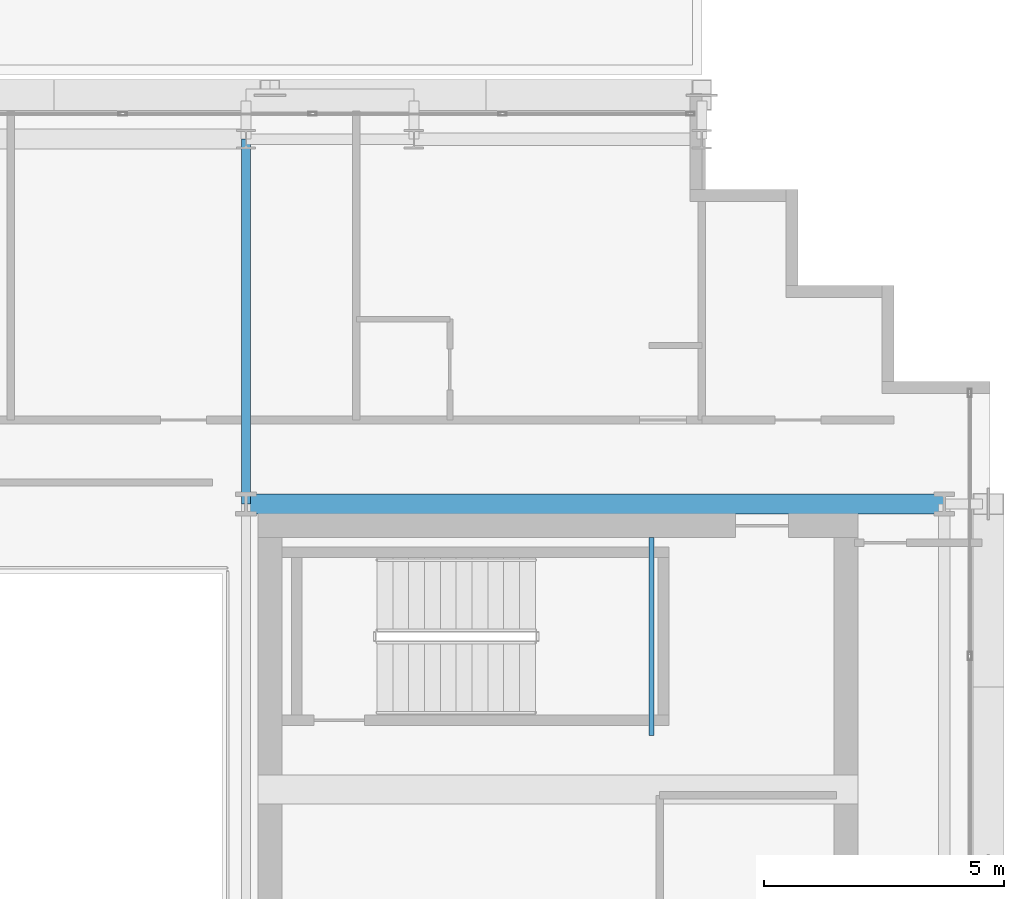
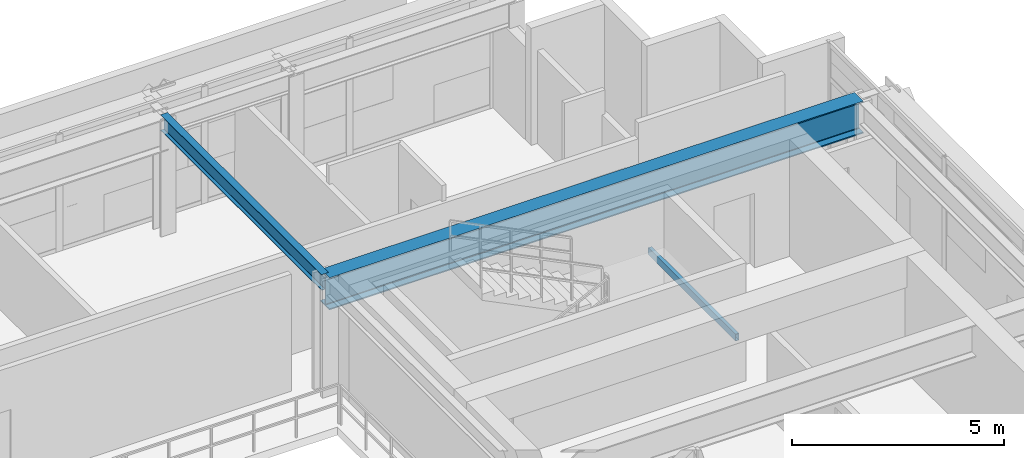
# One storey, part 19 of 34: 3 beams.
"""IFC4 building model written with IfcOpenShell, lengths in metres."""

import ifcopenshell
import ifcopenshell.guid

model = None  # the IFC model being written
_history = None  # IfcOwnerHistory: only IFC2X3 demands one
_inside = {}  # id of a spatial element -> (the spatial element, [elements in it])
_under = {}  # id of a project, library or spatial element -> (it, [spatial elements below it])
_declared = {}  # id of a project -> (the project, [libraries it declares])
_typed = {}  # id of a type object -> (the type object, [elements of that type])
_made_of = {}  # id of a material, layer set ... -> (it, [elements and type objects made of it])


def new_model(schema):
    """Start an empty IFC model of exactly this schema.

    Asked for "IFC4X3", IfcOpenShell would pick the latest addendum, in which some entities
    have other attributes; the version numbers below select the first issue.
    IFC2X3 requires an IfcOwnerHistory on every rooted entity: one is made here for all.
    """
    global model, _history
    if schema == "IFC4X3":
        model = ifcopenshell.file(schema_version=(4, 3, 0, 0))
    else:
        model = ifcopenshell.file(schema=schema)
    _inside.clear()
    _under.clear()
    _declared.clear()
    _typed.clear()
    _made_of.clear()
    _history = None
    if model.schema == "IFC2X3":
        org = make("IfcOrganization", Name="unknown")
        user = make(
            "IfcPersonAndOrganization",
            ThePerson=make("IfcPerson", FamilyName="unknown"),
            TheOrganization=org,
        )
        app = make(
            "IfcApplication",
            ApplicationDeveloper=org,
            Version="unknown",
            ApplicationFullName="unknown",
            ApplicationIdentifier="unknown",
        )
        _history = make(
            "IfcOwnerHistory",
            OwningUser=user,
            OwningApplication=app,
            ChangeAction="ADDED",
            CreationDate=0,
        )
    return model


def make(cls, **values):
    """One entity of the class cls with the attributes given. An attribute that is None is left unset."""
    return model.create_entity(
        cls, **{name: value for name, value in values.items() if value is not None}
    )


def rooted(cls, **values):
    """An entity with a GlobalId (a new one), such as an element, a storey or a relation."""
    return make(cls, GlobalId=ifcopenshell.guid.new(), OwnerHistory=_history, **values)


def si_unit(unit_type, name, prefix=None):
    """IfcSIUnit, for example si_unit("LENGTHUNIT", "METRE", prefix="MILLI")."""
    return make("IfcSIUnit", UnitType=unit_type, Prefix=prefix, Name=name)


def assignment(units):
    """IfcUnitAssignment: the units of a project."""
    return None if units is None else make("IfcUnitAssignment", Units=units)


def point(xyz):
    """IfcCartesianPoint."""
    return None if xyz is None else make("IfcCartesianPoint", Coordinates=xyz)


def direction(xyz):
    """IfcDirection."""
    return None if xyz is None else make("IfcDirection", DirectionRatios=xyz)


def frame(location, z_axis=None, x_axis=None):
    """IfcAxis2Placement3D, a coordinate frame: its origin and axes. An axis left out is left unset."""
    return make(
        "IfcAxis2Placement3D",
        Location=point(location),
        Axis=direction(z_axis),
        RefDirection=direction(x_axis),
    )


def frame_2d(location, x_axis=None):
    """IfcAxis2Placement2D, a coordinate frame in the plane: its origin and x axis."""
    return make(
        "IfcAxis2Placement2D", Location=point(location), RefDirection=direction(x_axis)
    )


def origin():
    """The frame at (0, 0, 0) with its axes left unset."""
    return frame((0.0, 0.0, 0.0))


def origin_2d():
    """The frame at (0, 0) in the plane with its x axis left unset."""
    return frame_2d((0.0, 0.0))


def place(relative_to, where):
    """IfcLocalPlacement: puts the frame where relative to a parent placement (None: the world)."""
    return make(
        "IfcLocalPlacement", PlacementRelTo=relative_to, RelativePlacement=where
    )


def context(
    kind, dimensions, precision=None, world=None, true_north=None, identifier=None
):
    """IfcGeometricRepresentationContext, for example the 3D "Model" context."""
    return make(
        "IfcGeometricRepresentationContext",
        ContextIdentifier=identifier,
        ContextType=kind,
        CoordinateSpaceDimension=dimensions,
        Precision=precision,
        WorldCoordinateSystem=world,
        TrueNorth=true_north,
    )


def subcontext(parent, identifier, kind, view, scale=None):
    """IfcGeometricRepresentationSubContext, for example "Body" below "Model"."""
    return make(
        "IfcGeometricRepresentationSubContext",
        ContextIdentifier=identifier,
        ContextType=kind,
        ParentContext=parent,
        TargetScale=scale,
        TargetView=view,
    )


def project(units=None, contexts=None):
    """IfcProject with its units and contexts."""
    return rooted(
        "IfcProject",
        Name="project",
        RepresentationContexts=contexts,
        UnitsInContext=assignment(units),
    )


def spatial(cls, under=None, at=None, **own):
    """A site, building, storey or space (cls), placed at a placement, below another one or the project."""
    s = rooted(cls, ObjectPlacement=at, **own)
    if under is not None:
        _under.setdefault(under.id(), (under, []))[1].append(s)
    return s


def profile(cls, at=None, kind="AREA", **sizes):
    """A parametric profile (cls). Its sizes go by their IFC names, for example OverallWidth=200.0."""
    return make(cls, ProfileType=kind, Position=at, **sizes)


def hollow_rectangle(**sizes):
    """IfcRectangleHollowProfileDef."""
    return profile("IfcRectangleHollowProfileDef", **sizes)


def i_section(**sizes):
    """IfcIShapeProfileDef."""
    return profile("IfcIShapeProfileDef", **sizes)


def extrude(swept, where, along, depth):
    """IfcExtrudedAreaSolid: the profile swept, set in the frame where, extruded along a direction by depth."""
    return make(
        "IfcExtrudedAreaSolid",
        SweptArea=swept,
        Position=where,
        ExtrudedDirection=direction(along),
        Depth=depth,
    )


def shape(context_of_items, identifier, shape_type, items):
    """IfcShapeRepresentation: the items that make up one representation, for example the "Body"."""
    return make(
        "IfcShapeRepresentation",
        ContextOfItems=context_of_items,
        RepresentationIdentifier=identifier,
        RepresentationType=shape_type,
        Items=items,
    )


def source(mapping_origin, context_of_items, identifier, shape_type, items):
    """IfcRepresentationMap: a shape defined once, which mapped items show again and again."""
    return make(
        "IfcRepresentationMap",
        MappingOrigin=mapping_origin,
        MappedRepresentation=shape(context_of_items, identifier, shape_type, items),
    )


def transform(
    local_origin,
    x_axis=None,
    y_axis=None,
    z_axis=None,
    scale=None,
    scale2=None,
    scale3=None,
    uniform=True,
):
    """IfcCartesianTransformationOperator3D, or its non-uniform kind. x_axis, y_axis, z_axis: its Axis1, 2, 3."""
    if uniform:
        return make(
            "IfcCartesianTransformationOperator3D",
            Axis1=direction(x_axis),
            Axis2=direction(y_axis),
            LocalOrigin=point(local_origin),
            Scale=scale,
            Axis3=direction(z_axis),
        )
    return make(
        "IfcCartesianTransformationOperator3DnonUniform",
        Axis1=direction(x_axis),
        Axis2=direction(y_axis),
        LocalOrigin=point(local_origin),
        Scale=scale,
        Axis3=direction(z_axis),
        Scale2=scale2,
        Scale3=scale3,
    )


def mapped(mapping_source, mapping_target):
    """IfcMappedItem: shows the shape of a source again, moved by a transform."""
    return make(
        "IfcMappedItem", MappingSource=mapping_source, MappingTarget=mapping_target
    )


def material(Name=None, Category=None):
    """IfcMaterial."""
    return make("IfcMaterial", Name=Name, Category=Category)


def material_profile(
    of_material, cross_section, Name=None, Category=None, Priority=None
):
    """IfcMaterialProfile: a cross section and its material."""
    return make(
        "IfcMaterialProfile",
        Name=Name,
        Material=of_material,
        Profile=cross_section,
        Priority=Priority,
        Category=Category,
    )


def profile_set(profiles, Name=None, composite=None):
    """IfcMaterialProfileSet."""
    return make(
        "IfcMaterialProfileSet",
        Name=Name,
        MaterialProfiles=profiles,
        CompositeProfile=composite,
    )


def made_of(thing, what):
    """Note that an element or type object is made of a material, layer set ...; save() writes the relation."""
    if what is not None:
        _made_of.setdefault(what.id(), (what, []))[1].append(thing)
    return thing


def type_object(cls, material=None, **own):
    """A type object (cls), such as IfcWallType, which elements share."""
    return made_of(rooted(cls, **own), material)


def element(
    cls,
    number,
    at=None,
    inside=None,
    cuts=None,
    type_object=None,
    material=None,
    context=None,
    identifier="Body",
    shape_type=None,
    held_by="IfcProductDefinitionShape",
    body=None,
    shapes=None,
    **own,
):
    """One element of the class cls, such as IfcWall. Its Tag is "e" and its number.

    at: its placement. inside: the storey or other place that contains it. cuts: it is an
    opening in that element (IfcRelVoidsElement). A single representation is given by context,
    identifier, shape_type and body (its items); several are given by shapes. held_by: the class
    of the entity that holds the representations. save() writes the other relations.
    """
    e = rooted(cls, Tag="e%d" % number, ObjectPlacement=at, **own)
    if body is not None:
        shapes = [shape(context, identifier, shape_type, body)]
    if shapes is not None:
        e.Representation = make(held_by, Representations=shapes)
    if inside is not None:
        _inside.setdefault(inside.id(), (inside, []))[1].append(e)
    if cuts is not None:
        rooted(
            "IfcRelVoidsElement", RelatingBuildingElement=cuts, RelatedOpeningElement=e
        )
    if type_object is not None:
        _typed.setdefault(type_object.id(), (type_object, []))[1].append(e)
    return made_of(e, material)


def aggregate(whole, parts):
    """IfcRelAggregates: a whole, such as a stair, and the parts it consists of."""
    return rooted("IfcRelAggregates", RelatingObject=whole, RelatedObjects=parts)


def save(model, path):
    """Write the relations noted so far, then the file.

    IfcRelAggregates (storeys below a building ...), IfcRelContainedInSpatialStructure (elements
    in a storey), IfcRelDefinesByType, IfcRelAssociatesMaterial and IfcRelDeclares: one each for
    every whole, place, type object, material and project.
    """
    for whole, parts in _under.values():
        aggregate(whole, parts)
    for where, things in _inside.values():
        rooted(
            "IfcRelContainedInSpatialStructure",
            RelatedElements=things,
            RelatingStructure=where,
        )
    for kind, things in _typed.values():
        rooted("IfcRelDefinesByType", RelatedObjects=things, RelatingType=kind)
    for what, things in _made_of.values():
        rooted("IfcRelAssociatesMaterial", RelatedObjects=things, RelatingMaterial=what)
    for by, libraries in _declared.values():
        rooted("IfcRelDeclares", RelatingContext=by, RelatedDefinitions=libraries)
    model.write(path)


model = new_model("IFC4")

# Units and contexts
model_context = context("Model", 3, precision=1e-05, world=origin(), true_north=direction((0.0, 1.0)))
body_context = subcontext(model_context, "Body", "Model", "MODEL_VIEW")
ifc_project = project(units=[si_unit("LENGTHUNIT", "METRE"), si_unit("AREAUNIT", "SQUARE_METRE"), si_unit("VOLUMEUNIT", "CUBIC_METRE"), si_unit("PLANEANGLEUNIT", "RADIAN"), si_unit("MASSUNIT", "GRAM", prefix="KILO")], contexts=[model_context])

# Site, building, storey
site_placement = place(None, origin())
site = spatial("IfcSite", under=ifc_project, at=site_placement, CompositionType="ELEMENT")
building_placement = place(site_placement, origin())
building = spatial("IfcBuilding", under=site, at=building_placement, Name="Ocotamira Hotel", CompositionType="ELEMENT")
storey_placement = place(building_placement, frame((0.0, 0.0, 163.199951171875)))
storey = spatial("IfcBuildingStorey", under=building, at=storey_placement, Name="L40", CompositionType="ELEMENT", Elevation=163.199951171875)

# Beams
ifc_material_1 = material(Name="Steel ASTM A500 Grade C", Category="steel")
ifc_material_profile_1 = material_profile(ifc_material_1, hollow_rectangle(XDim=0.10009765625, YDim=0.199951171875, WallThickness=0.008056640625, at=origin_2d()), Name="HSS200X100X8")
ifc_profile_set_1 = profile_set([ifc_material_profile_1], Name="Steel ASTM A500 Grade C")
beam_type_1 = type_object("IfcBeamType", Name="BM-STLDG-HSS200", PredefinedType="BEAM", material=ifc_profile_set_1)
shared_shape_1 = source(origin(), body_context, "Body", "SweptSolid", [
    extrude(hollow_rectangle(XDim=0.10009765625, YDim=0.199951171875, WallThickness=0.008056640625, at=origin_2d()), origin(), (0.0, 0.0, 1.0), 4.1201171875),
])
beam_1_placement = place(storey_placement, frame((48.949951171875, 32.6298828125, 1.5), z_axis=(0.0, 1.0, 0.0), x_axis=(-1.0, 0.0, 0.0)))
element("IfcBeam", 1, at=beam_1_placement, inside=storey, type_object=beam_type_1, Name="L40 Stair ST-4 Landing Bearer 1", PredefinedType="BEAM", context=body_context, shape_type="MappedRepresentation", body=[
    mapped(shared_shape_1, transform((0.0, 0.0, 0.0), scale=1.0)),
])
ifc_material_2 = material(Name="Steel ASTM A992 Grade 50", Category="steel")
ifc_material_profile_2 = material_profile(ifc_material_2, i_section(OverallWidth=0.41796875, OverallDepth=0.927001953125, WebThickness=0.019287109375, FlangeThickness=0.031982421875, FilletRadius=0.02392578125, at=origin_2d()), Name="W36X231")
ifc_profile_set_2 = profile_set([ifc_material_profile_2], Name="Steel ASTM A992 Grade 50")
beam_type_2 = type_object("IfcBeamType", Name="BM-GIRD-W36X231", PredefinedType="BEAM", material=ifc_profile_set_2)
shared_shape_2 = source(origin(), body_context, "Body", "SweptSolid", [
    extrude(i_section(OverallWidth=0.41796875, OverallDepth=0.927001953125, WebThickness=0.019287109375, FlangeThickness=0.031982421875, FilletRadius=0.02392578125, at=origin_2d()), origin(), (0.0, 0.0, 1.0), 14.550048828125),
])
beam_2_placement = place(storey_placement, frame((40.5, 37.449951171875, 2.906494140625), z_axis=(1.0, 0.0, 0.0), x_axis=(0.0, 1.0, 0.0)))
element("IfcBeam", 2, at=beam_2_placement, inside=storey, type_object=beam_type_2, Name="L40 Girder Y37.45 X40.5-55.05", PredefinedType="BEAM", context=body_context, shape_type="MappedRepresentation", body=[
    mapped(shared_shape_2, transform((0.0, 0.0, 0.0), scale=1.0)),
])
ifc_material_profile_3 = material_profile(ifc_material_2, i_section(OverallWidth=0.18994140625, OverallDepth=0.45703125, WebThickness=0.009033203125, FlangeThickness=0.014404296875, FilletRadius=0.010009765625, at=origin_2d()), Name="W18X50")
ifc_profile_set_3 = profile_set([ifc_material_profile_3], Name="Steel ASTM A992 Grade 50")
beam_type_3 = type_object("IfcBeamType", Name="BM-SEC-W18X50", PredefinedType="JOIST", material=ifc_profile_set_3)
shared_shape_3 = source(origin(), body_context, "Body", "SweptSolid", [
    extrude(i_section(OverallWidth=0.18994140625, OverallDepth=0.45703125, WebThickness=0.009033203125, FlangeThickness=0.014404296875, FilletRadius=0.010009765625, at=origin_2d()), origin(), (0.0, 0.0, 1.0), 7.60009765625),
])
beam_3_placement = place(storey_placement, frame((40.5, 37.449951171875, 3.1416015625), z_axis=(0.0, 1.0, 0.0), x_axis=(-1.0, 0.0, 0.0)))
element("IfcBeam", 3, at=beam_3_placement, inside=storey, type_object=beam_type_3, Name="L40 Beam X40.5 Y37.45-45.05", PredefinedType="JOIST", context=body_context, shape_type="MappedRepresentation", body=[
    mapped(shared_shape_3, transform((0.0, 0.0, 0.0), scale=1.0)),
])

save(model, "model.ifc")
